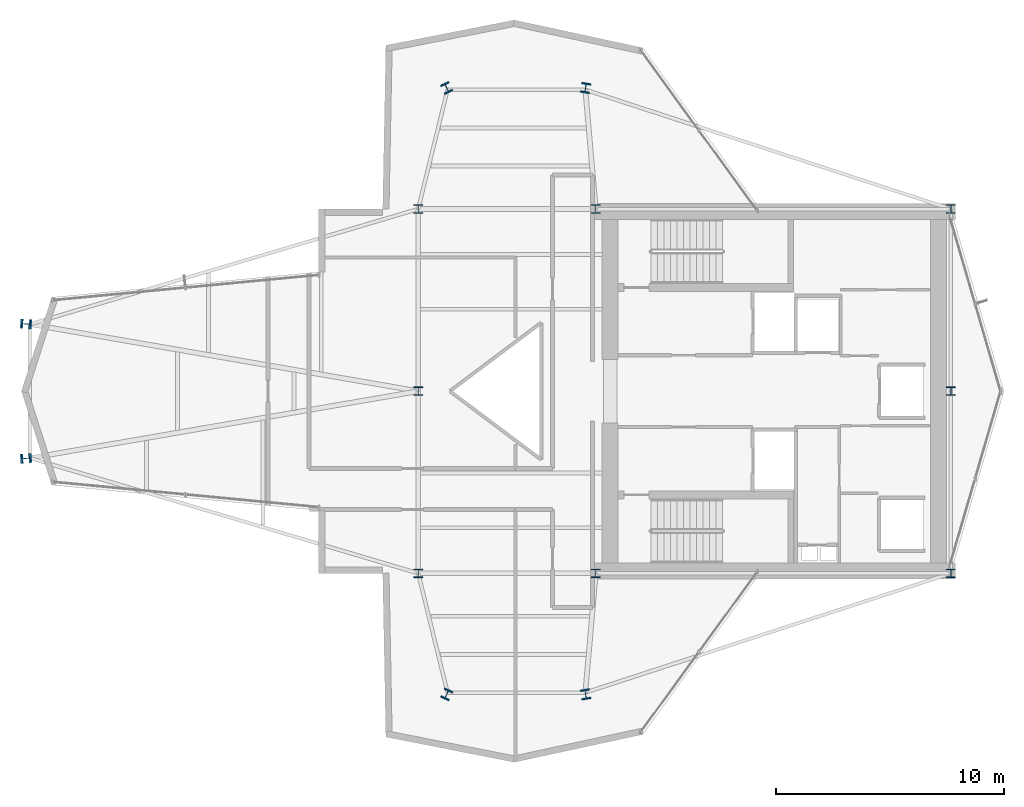
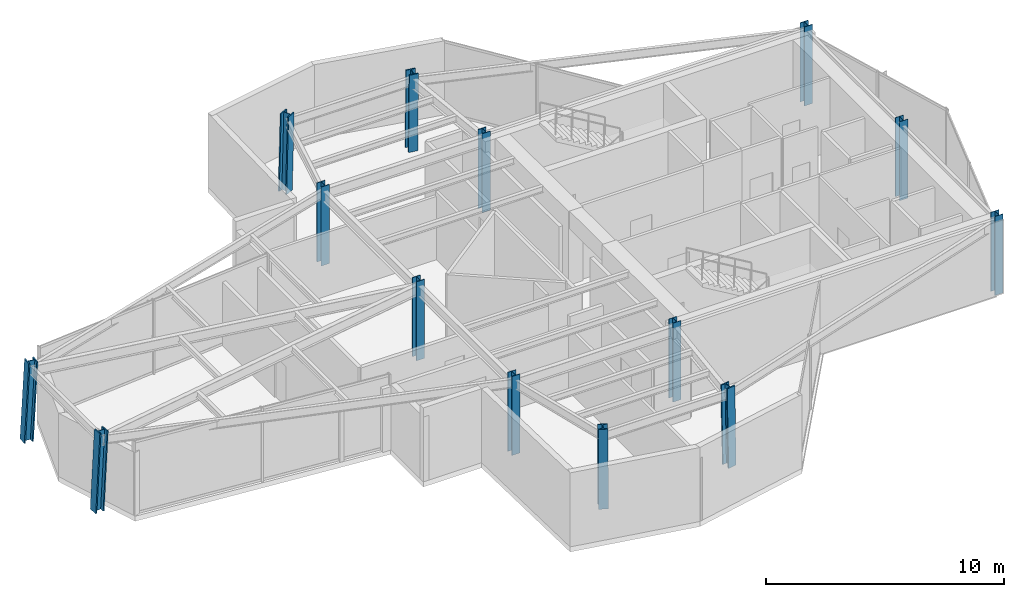
# One storey, part 1 of 21: 14 columns.
"""IFC4 building model written with IfcOpenShell, lengths in metres."""

from ifc_helpers import new_model, si_unit, direction, frame, origin, origin_2d, place, context, subcontext, project, spatial, i_section, extrude, material, material_profile, profile_set, type_object, element, save


model = new_model("IFC4")

# Units and contexts
model_context = context("Model", 3, precision=1e-05, world=origin(), true_north=direction((0.0, 1.0)))
body_context = subcontext(model_context, "Body", "Model", "MODEL_VIEW")
ifc_project = project(units=[si_unit("LENGTHUNIT", "METRE"), si_unit("AREAUNIT", "SQUARE_METRE"), si_unit("VOLUMEUNIT", "CUBIC_METRE"), si_unit("PLANEANGLEUNIT", "RADIAN"), si_unit("MASSUNIT", "GRAM", prefix="KILO")], contexts=[model_context])

# Site, building, storey
site_placement = place(None, origin())
site = spatial("IfcSite", under=ifc_project, at=site_placement, CompositionType="ELEMENT")
building_placement = place(site_placement, origin())
building = spatial("IfcBuilding", under=site, at=building_placement, Name="Veymaron Broadcast Tower", CompositionType="ELEMENT")
storey_placement = place(building_placement, frame((0.0, 0.0, 232.35009765625)))
storey = spatial("IfcBuildingStorey", under=building, at=storey_placement, Name="L54", CompositionType="ELEMENT", Elevation=232.35009765625)

# Columns
ifc_material_1 = material(Name="Structural steel ASTM A992 Gr 50", Category="steel")
ifc_material_profile_1 = material_profile(ifc_material_1, i_section(OverallWidth=0.39404296875, OverallDepth=0.375, WebThickness=0.017333984375, FlangeThickness=0.027587890625, at=origin_2d()), Name="W360X216")
ifc_profile_set_1 = profile_set([ifc_material_profile_1], Name="Structural steel ASTM A992 Gr 50")
column_type_1 = type_object("IfcColumnType", Name="COL-HC3", PredefinedType="COLUMN", material=ifc_profile_set_1)
for number, where, z_axis, x_axis, name in (
    (1, (31.199951171875, 16.0, 0.0), (0.0, 0.0, 1.0), (1.0, 0.0, 0.0), "L54 structural hub and core column"),
    (2, (31.199951171875, 24.0, 0.0), (0.0, 0.0, 1.0), (1.0, 0.0, 0.0), "L54 structural hub and core column"),
    (3, (31.199951171875, 32.0, 0.0), (0.0, 0.0, 1.0), (1.0, 0.0, 0.0), "L54 structural hub and core column"),
    (4, (39.0, 16.0, 0.0), (0.0, 0.0, 1.0), (1.0, 0.0, 0.0), "L54 structural hub and core column"),
    (5, (39.0, 32.0, 0.0), (0.0, 0.0, 1.0), (1.0, 0.0, 0.0), "L54 structural hub and core column"),
    (6, (54.60009765625, 16.0, 0.0), (0.0, 0.0, 1.0), (1.0, 0.0, 0.0), "L54 structural hub and core column"),
    (7, (54.60009765625, 24.0, 0.0), (0.0, 0.0, 1.0), (1.0, 0.0, 0.0), "L54 structural hub and core column"),
    (8, (54.60009765625, 32.0, 0.0), (0.0, 0.0, 1.0), (1.0, 0.0, 0.0), "L54 structural hub and core column"),
):
    element("IfcColumn", number, at=place(storey_placement, frame(where, z_axis=z_axis, x_axis=x_axis)), inside=storey, type_object=column_type_1, Name=name, PredefinedType="COLUMN", context=body_context, shape_type="SweptSolid", body=[
        extrude(i_section(OverallWidth=0.39404296875, OverallDepth=0.375, WebThickness=0.017333984375, FlangeThickness=0.027587890625, at=origin_2d()), origin(), (0.0, 0.0, 1.0), 4.0439453125),
    ])
ifc_material_2 = material(Name="Structural steel ASTM A913 Gr 65", Category="steel")
ifc_material_profile_2 = material_profile(ifc_material_2, i_section(OverallWidth=0.412109375, OverallDepth=0.43505859375, WebThickness=0.035888671875, FlangeThickness=0.05810546875, at=origin_2d()), Name="W360X463")
ifc_profile_set_2 = profile_set([ifc_material_profile_2], Name="Structural steel ASTM A913 Gr 65")
column_type_2 = type_object("IfcColumnType", Name="COL-MC3", PredefinedType="COLUMN", material=ifc_profile_set_2)
for number, where, z_axis, x_axis, name in (
    (9, (13.94091796875, 21.044921875, 0.015869140625), (0.051456470587, 0.003762147614, 0.998668152031), (-0.072918572693, 0.997337897483, 0.0), "L54 Tapered Wing Mega Column"),
    (10, (13.94091796875, 26.955078125, 0.015869140625), (0.051456470587, -0.003762147614, 0.998668152031), (0.072918572693, 0.997337897483, 0.0), "L54 Tapered Wing Mega Column"),
):
    element("IfcColumn", number, at=place(storey_placement, frame(where, z_axis=z_axis, x_axis=x_axis)), inside=storey, type_object=column_type_2, Name=name, PredefinedType="COLUMN", context=body_context, shape_type="SweptSolid", body=[
        extrude(i_section(OverallWidth=0.412109375, OverallDepth=0.43505859375, WebThickness=0.035888671875, FlangeThickness=0.05810546875, at=origin_2d()), origin(), (0.0, 0.0, 1.0), 4.0234375),
    ])
column_1_placement = place(storey_placement, frame((32.446044921875, 37.330078125, 0.015869140625), z_axis=(0.010447648562, -0.022413850693, 0.999694186207), x_axis=(0.906371306068, 0.422482018004, 0.0)))
element("IfcColumn", 11, at=column_1_placement, inside=storey, type_object=column_type_2, Name="L54 Tapered Wing Mega Column", PredefinedType="COLUMN", context=body_context, shape_type="SweptSolid", body=[
    extrude(i_section(OverallWidth=0.412109375, OverallDepth=0.43505859375, WebThickness=0.035888671875, FlangeThickness=0.05810546875, at=origin_2d()), origin(), (0.0, 0.0, 1.0), 4.019287109375),
])
column_2_placement = place(storey_placement, frame((38.554931640625, 37.330078125, 0.015869140625), z_axis=(-0.00370544751, -0.022414920183, 0.999741887195), x_axis=(0.986609855888, -0.163098106258, 0.0)))
element("IfcColumn", 12, at=column_2_placement, inside=storey, type_object=column_type_2, Name="L54 Tapered Wing Mega Column", PredefinedType="COLUMN", context=body_context, shape_type="SweptSolid", body=[
    extrude(i_section(OverallWidth=0.412109375, OverallDepth=0.43505859375, WebThickness=0.035888671875, FlangeThickness=0.05810546875, at=origin_2d()), origin(), (0.0, 0.0, 1.0), 4.01904296875),
])
column_3_placement = place(storey_placement, frame((32.446044921875, 10.669921875, 0.015869140625), z_axis=(0.010447648562, 0.022413850693, 0.999694186207), x_axis=(-0.906371306068, 0.422482018004, 0.0)))
element("IfcColumn", 13, at=column_3_placement, inside=storey, type_object=column_type_2, Name="L54 Tapered Wing Mega Column", PredefinedType="COLUMN", context=body_context, shape_type="SweptSolid", body=[
    extrude(i_section(OverallWidth=0.412109375, OverallDepth=0.43505859375, WebThickness=0.035888671875, FlangeThickness=0.05810546875, at=origin_2d()), origin(), (0.0, 0.0, 1.0), 4.019287109375),
])
column_4_placement = place(storey_placement, frame((38.554931640625, 10.669921875, 0.015869140625), z_axis=(-0.00370544751, 0.022414920183, 0.999741887195), x_axis=(-0.986609855888, -0.163098106258, 0.0)))
element("IfcColumn", 14, at=column_4_placement, inside=storey, type_object=column_type_2, Name="L54 Tapered Wing Mega Column", PredefinedType="COLUMN", context=body_context, shape_type="SweptSolid", body=[
    extrude(i_section(OverallWidth=0.412109375, OverallDepth=0.43505859375, WebThickness=0.035888671875, FlangeThickness=0.05810546875, at=origin_2d()), origin(), (0.0, 0.0, 1.0), 4.01904296875),
])

save(model, "model.ifc")
